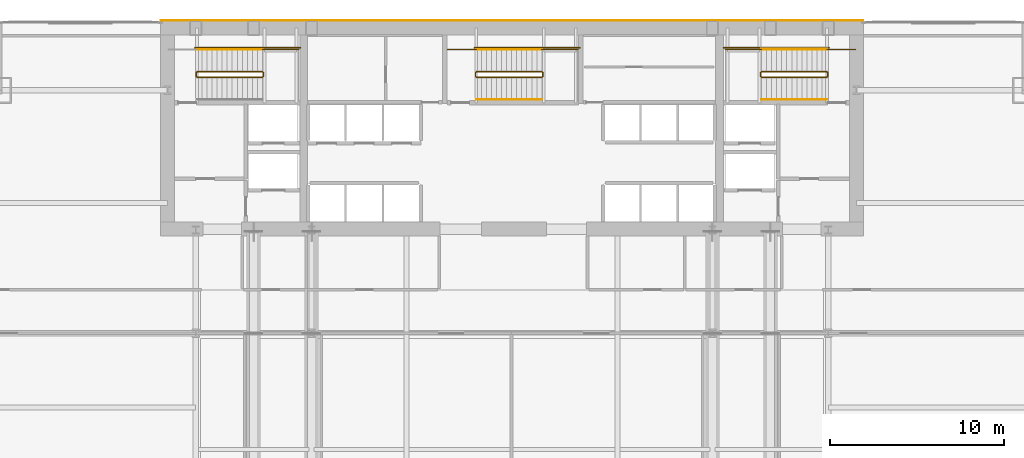
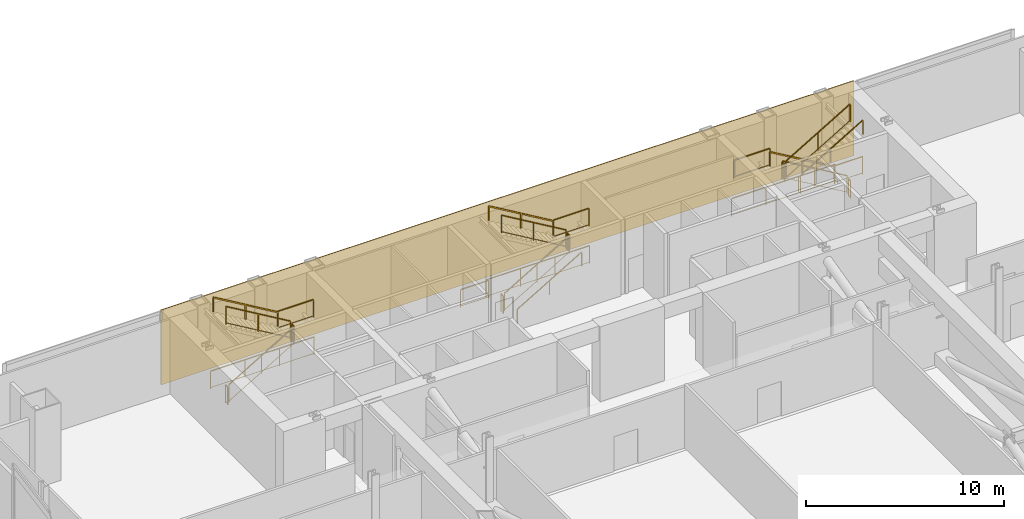
# One storey, part 31 of 32: 25 railings, 1 covering.
"""IFC4 building model written with IfcOpenShell, lengths in metres."""

from ifc_helpers import new_model, si_unit, direction, frame, origin, origin_2d, place, context, subcontext, project, spatial, polyline, rectangle, outline, extrude, material, layer, layer_set, type_object, element, save


model = new_model("IFC4")

# Units and contexts
model_context = context("Model", 3, precision=1e-05, world=origin(), true_north=direction((0.0, 1.0)))
body_context = subcontext(model_context, "Body", "Model", "MODEL_VIEW")
ifc_project = project(units=[si_unit("LENGTHUNIT", "METRE"), si_unit("AREAUNIT", "SQUARE_METRE"), si_unit("VOLUMEUNIT", "CUBIC_METRE"), si_unit("PLANEANGLEUNIT", "RADIAN"), si_unit("MASSUNIT", "GRAM", prefix="KILO")], contexts=[model_context])

# Site, building, storey
site_placement = place(None, origin())
site = spatial("IfcSite", under=ifc_project, at=site_placement, CompositionType="ELEMENT")
building_placement = place(site_placement, origin())
building = spatial("IfcBuilding", under=site, at=building_placement, Name="Khoronbel Lancet Exchange", CompositionType="ELEMENT")
storey_placement = place(building_placement, frame((0.0, 0.0, 85.800048828125)))
storey = spatial("IfcBuildingStorey", under=building, at=storey_placement, Name="L20", CompositionType="ELEMENT", Elevation=85.800048828125)

# Covering
ifc_material_1 = material(Name="Honed Egyptian Limestone & Bronze Rainscreen", Category="masonry")
ifc_layer = layer(ifc_material_1, 0.050048828125, Name="Honed Egyptian Limestone & Bronze Rainscreen")
ifc_layer_set = layer_set([ifc_layer], Name="Honed Egyptian Limestone & Bronze Rainscreen")
covering_type = type_object("IfcCoveringType", Name="COV-CLAD1", PredefinedType="CLADDING", material=ifc_layer_set)
covering_placement = place(storey_placement, origin())
element("IfcCovering", 1, at=covering_placement, inside=storey, type_object=covering_type, Name="Level L20 north rear-core stone and bronze rainscreen cladding", PredefinedType="CLADDING", context=body_context, shape_type="SweptSolid", body=[
    extrude(outline(polyline([(16.199951171875, 53.699951171875), (56.699951171875, 53.699951171875), (56.699951171875, 53.75), (16.199951171875, 53.75), (16.199951171875, 53.699951171875)])), origin(), (0.0, 0.0, 1.0), 4.619873046875),
])

# Railings
ifc_material_2 = material(Name="Painted Steel Balustrade", Category="steel")
railing_type_1 = type_object("IfcRailingType", Name="RL-STG110", PredefinedType="GUARDRAIL", material=ifc_material_2)
railing_1_placement = place(storey_placement, frame((18.300048828125, 50.449951171875, 0.17138671875)))
element("IfcRailing", 2, at=railing_1_placement, inside=storey, type_object=railing_type_1, Name="L20 ST1 stair guard 1", PredefinedType="GUARDRAIL", context=body_context, shape_type="SweptSolid", body=[
    extrude(rectangle(XDim=0.048095703125, YDim=0.048095703125, at=origin_2d()), frame((0.0, 0.0, 1.09619140625), z_axis=(0.860848830602, 0.0, 0.508860777473), x_axis=(0.0, 1.0, 0.0)), (0.0, 0.0, 1.0), 4.37939453125),
    extrude(rectangle(XDim=0.02392578125, YDim=0.02392578125, at=origin_2d()), frame((0.0, 0.0, 0.080078125), z_axis=(0.860848830602, 0.0, 0.508860777473), x_axis=(0.0, 1.0, 0.0)), (0.0, 0.0, 1.0), 4.37939453125),
    extrude(rectangle(XDim=0.0419921875, YDim=0.0419921875, at=origin_2d()), origin(), (0.0, 0.0, 1.0), 1.072021484375),
    extrude(rectangle(XDim=0.0419921875, YDim=0.0419921875, at=origin_2d()), frame((1.885009765625, 0.0, 1.1142578125)), (0.0, 0.0, 1.0), 1.072021484375),
    extrude(rectangle(XDim=0.0419921875, YDim=0.0419921875, at=origin_2d()), frame((3.77001953125, 0.0, 2.228515625)), (0.0, 0.0, 1.0), 1.072021484375),
])
railing_2_placement = place(storey_placement, frame((22.1201171875, 50.5, 2.39990234375)))
element("IfcRailing", 3, at=railing_2_placement, inside=storey, type_object=railing_type_1, Name="L20 ST1 stair guard 2", PredefinedType="GUARDRAIL", context=body_context, shape_type="SweptSolid", body=[
    extrude(rectangle(XDim=0.048095703125, YDim=0.048095703125, at=origin_2d()), frame((0.0, 0.0, 1.09619140625), z_axis=(0.0, 1.0, 0.0), x_axis=(-1.0, 0.0, 0.0)), (0.0, 0.0, 1.0), 0.219970703125),
    extrude(rectangle(XDim=0.02392578125, YDim=0.02392578125, at=origin_2d()), frame((0.0, 0.0, 0.080078125), z_axis=(0.0, 1.0, 0.0), x_axis=(-1.0, 0.0, 0.0)), (0.0, 0.0, 1.0), 0.219970703125),
    extrude(rectangle(XDim=0.0419921875, YDim=0.0419921875, at=origin_2d()), origin(), (0.0, 0.0, 1.0), 1.072021484375),
    extrude(rectangle(XDim=0.0419921875, YDim=0.0419921875, at=origin_2d()), frame((0.0, 0.219970703125, 0.0)), (0.0, 0.0, 1.0), 1.072021484375),
])
railing_3_placement = place(storey_placement, frame((22.070068359375, 52.050048828125, 2.39990234375)))
element("IfcRailing", 4, at=railing_3_placement, inside=storey, type_object=railing_type_1, Name="L20 ST1 stair guard 3", PredefinedType="GUARDRAIL", context=body_context, shape_type="SweptSolid", body=[
    extrude(rectangle(XDim=0.048095703125, YDim=0.048095703125, at=origin_2d()), frame((0.0, 0.0, 1.09619140625), z_axis=(1.0, 0.0, 0.0), x_axis=(0.0, 1.0, 0.0)), (0.0, 0.0, 1.0), 2.079833984375),
    extrude(rectangle(XDim=0.02392578125, YDim=0.02392578125, at=origin_2d()), frame((0.0, 0.0, 0.080078125), z_axis=(1.0, 0.0, 0.0), x_axis=(0.0, 1.0, 0.0)), (0.0, 0.0, 1.0), 2.079833984375),
    extrude(rectangle(XDim=0.0419921875, YDim=0.0419921875, at=origin_2d()), origin(), (0.0, 0.0, 1.0), 1.072021484375),
    extrude(rectangle(XDim=0.0419921875, YDim=0.0419921875, at=origin_2d()), frame((2.079833984375, 0.0, 0.0)), (0.0, 0.0, 1.0), 1.072021484375),
])
railing_4_placement = place(storey_placement, frame((22.070068359375, 50.77001953125, 2.5712890625)))
element("IfcRailing", 5, at=railing_4_placement, inside=storey, type_object=railing_type_1, Name="L20 ST1 stair guard 4", PredefinedType="GUARDRAIL", context=body_context, shape_type="SweptSolid", body=[
    extrude(rectangle(XDim=0.048095703125, YDim=0.048095703125, at=origin_2d()), frame((0.0, 0.0, 1.09619140625), z_axis=(-0.860824410104, 0.0, 0.508902087802), x_axis=(0.0, -1.0, 0.0)), (0.0, 0.0, 1.0), 4.379638671875),
    extrude(rectangle(XDim=0.02392578125, YDim=0.02392578125, at=origin_2d()), frame((0.0, 0.0, 0.080078125), z_axis=(-0.860824410104, 0.0, 0.508902087802), x_axis=(0.0, -1.0, 0.0)), (0.0, 0.0, 1.0), 4.379638671875),
    extrude(rectangle(XDim=0.0419921875, YDim=0.0419921875, at=origin_2d()), origin(), (0.0, 0.0, 1.0), 1.072021484375),
    extrude(rectangle(XDim=0.0419921875, YDim=0.0419921875, at=origin_2d()), frame((-1.885009765625, 0.0, 1.1142578125)), (0.0, 0.0, 1.0), 1.072021484375),
    extrude(rectangle(XDim=0.0419921875, YDim=0.0419921875, at=origin_2d()), frame((-3.77001953125, 0.0, 2.228759765625)), (0.0, 0.0, 1.0), 1.072021484375),
])
railing_5_placement = place(storey_placement, frame((18.25, 50.5, 0.0)))
element("IfcRailing", 6, at=railing_5_placement, inside=storey, type_object=railing_type_1, Name="L20 ST1 stair guard 5", PredefinedType="GUARDRAIL", context=body_context, shape_type="SweptSolid", body=[
    extrude(rectangle(XDim=0.048095703125, YDim=0.048095703125, at=origin_2d()), frame((0.0, 0.0, 1.09619140625), z_axis=(0.0, 1.0, 0.0), x_axis=(-1.0, 0.0, 0.0)), (0.0, 0.0, 1.0), 0.219970703125),
    extrude(rectangle(XDim=0.02392578125, YDim=0.02392578125, at=origin_2d()), frame((0.0, 0.0, 0.080078125), z_axis=(0.0, 1.0, 0.0), x_axis=(-1.0, 0.0, 0.0)), (0.0, 0.0, 1.0), 0.219970703125),
    extrude(rectangle(XDim=0.0419921875, YDim=0.0419921875, at=origin_2d()), origin(), (0.0, 0.0, 1.0), 1.072021484375),
    extrude(rectangle(XDim=0.0419921875, YDim=0.0419921875, at=origin_2d()), frame((0.0, 0.219970703125, 0.0)), (0.0, 0.0, 1.0), 1.072021484375),
])
railing_6_placement = place(storey_placement, frame((18.199951171875, 52.14990234375, 0.0)))
element("IfcRailing", 7, at=railing_6_placement, inside=storey, type_object=railing_type_1, Name="L20 ST1 stair guard 7", PredefinedType="GUARDRAIL", context=body_context, shape_type="SweptSolid", body=[
    extrude(rectangle(XDim=0.048095703125, YDim=0.048095703125, at=origin_2d()), frame((0.0, 0.0, 1.09619140625), z_axis=(1.0, 0.0, 0.0), x_axis=(0.0, 1.0, 0.0)), (0.0, 0.0, 1.0), 6.050048828125),
    extrude(rectangle(XDim=0.02392578125, YDim=0.02392578125, at=origin_2d()), frame((0.0, 0.0, 0.080078125), z_axis=(1.0, 0.0, 0.0), x_axis=(0.0, 1.0, 0.0)), (0.0, 0.0, 1.0), 6.050048828125),
    extrude(rectangle(XDim=0.0419921875, YDim=0.0419921875, at=origin_2d()), origin(), (0.0, 0.0, 1.0), 1.072021484375),
    extrude(rectangle(XDim=0.0419921875, YDim=0.0419921875, at=origin_2d()), frame((2.0166015625, 0.0, 0.0)), (0.0, 0.0, 1.0), 1.072021484375),
    extrude(rectangle(XDim=0.0419921875, YDim=0.0419921875, at=origin_2d()), frame((4.033447265625, 0.0, 0.0)), (0.0, 0.0, 1.0), 1.072021484375),
    extrude(rectangle(XDim=0.0419921875, YDim=0.0419921875, at=origin_2d()), frame((6.050048828125, 0.0, 0.0)), (0.0, 0.0, 1.0), 1.072021484375),
])
railing_7_placement = place(storey_placement, frame((54.60009765625, 50.77001953125, 0.17138671875)))
element("IfcRailing", 8, at=railing_7_placement, inside=storey, type_object=railing_type_1, Name="L20 ST2 stair guard 1", PredefinedType="GUARDRAIL", context=body_context, shape_type="SweptSolid", body=[
    extrude(rectangle(XDim=0.048095703125, YDim=0.048095703125, at=origin_2d()), frame((0.0, 0.0, 1.09619140625), z_axis=(-0.860848830602, 0.0, 0.508860777473), x_axis=(0.0, -1.0, 0.0)), (0.0, 0.0, 1.0), 4.37939453125),
    extrude(rectangle(XDim=0.02392578125, YDim=0.02392578125, at=origin_2d()), frame((0.0, 0.0, 0.080078125), z_axis=(-0.860848830602, 0.0, 0.508860777473), x_axis=(0.0, -1.0, 0.0)), (0.0, 0.0, 1.0), 4.37939453125),
    extrude(rectangle(XDim=0.0419921875, YDim=0.0419921875, at=origin_2d()), origin(), (0.0, 0.0, 1.0), 1.072021484375),
    extrude(rectangle(XDim=0.0419921875, YDim=0.0419921875, at=origin_2d()), frame((-1.885009765625, 0.0, 1.1142578125)), (0.0, 0.0, 1.0), 1.072021484375),
    extrude(rectangle(XDim=0.0419921875, YDim=0.0419921875, at=origin_2d()), frame((-3.77001953125, 0.0, 2.228515625)), (0.0, 0.0, 1.0), 1.072021484375),
])
railing_8_placement = place(storey_placement, frame((50.780029296875, 50.719970703125, 2.39990234375)))
element("IfcRailing", 9, at=railing_8_placement, inside=storey, type_object=railing_type_1, Name="L20 ST2 stair guard 2", PredefinedType="GUARDRAIL", context=body_context, shape_type="SweptSolid", body=[
    extrude(rectangle(XDim=0.048095703125, YDim=0.048095703125, at=origin_2d()), frame((0.0, 0.0, 1.09619140625), z_axis=(0.0, -1.0, 0.0), x_axis=(1.0, 0.0, 0.0)), (0.0, 0.0, 1.0), 0.219970703125),
    extrude(rectangle(XDim=0.02392578125, YDim=0.02392578125, at=origin_2d()), frame((0.0, 0.0, 0.080078125), z_axis=(0.0, -1.0, 0.0), x_axis=(1.0, 0.0, 0.0)), (0.0, 0.0, 1.0), 0.219970703125),
    extrude(rectangle(XDim=0.0419921875, YDim=0.0419921875, at=origin_2d()), origin(), (0.0, 0.0, 1.0), 1.072021484375),
    extrude(rectangle(XDim=0.0419921875, YDim=0.0419921875, at=origin_2d()), frame((0.0, -0.219970703125, 0.0)), (0.0, 0.0, 1.0), 1.072021484375),
])
railing_9_placement = place(storey_placement, frame((50.830078125, 52.050048828125, 2.39990234375)))
element("IfcRailing", 10, at=railing_9_placement, inside=storey, type_object=railing_type_1, Name="L20 ST2 stair guard 3", PredefinedType="GUARDRAIL", context=body_context, shape_type="SweptSolid", body=[
    extrude(rectangle(XDim=0.048095703125, YDim=0.048095703125, at=origin_2d()), frame((0.0, 0.0, 1.09619140625), z_axis=(-1.0, 0.0, 0.0), x_axis=(0.0, -1.0, 0.0)), (0.0, 0.0, 1.0), 2.080078125),
    extrude(rectangle(XDim=0.02392578125, YDim=0.02392578125, at=origin_2d()), frame((0.0, 0.0, 0.080078125), z_axis=(-1.0, 0.0, 0.0), x_axis=(0.0, -1.0, 0.0)), (0.0, 0.0, 1.0), 2.080078125),
    extrude(rectangle(XDim=0.0419921875, YDim=0.0419921875, at=origin_2d()), origin(), (0.0, 0.0, 1.0), 1.072021484375),
    extrude(rectangle(XDim=0.0419921875, YDim=0.0419921875, at=origin_2d()), frame((-2.080078125, 0.0, 0.0)), (0.0, 0.0, 1.0), 1.072021484375),
])
railing_10_placement = place(storey_placement, frame((50.830078125, 50.449951171875, 2.5712890625)))
element("IfcRailing", 11, at=railing_10_placement, inside=storey, type_object=railing_type_1, Name="L20 ST2 stair guard 4", PredefinedType="GUARDRAIL", context=body_context, shape_type="SweptSolid", body=[
    extrude(rectangle(XDim=0.048095703125, YDim=0.048095703125, at=origin_2d()), frame((0.0, 0.0, 1.09619140625), z_axis=(0.860824410104, 0.0, 0.508902087802), x_axis=(0.0, 1.0, 0.0)), (0.0, 0.0, 1.0), 4.379638671875),
    extrude(rectangle(XDim=0.02392578125, YDim=0.02392578125, at=origin_2d()), frame((0.0, 0.0, 0.080078125), z_axis=(0.860824410104, 0.0, 0.508902087802), x_axis=(0.0, 1.0, 0.0)), (0.0, 0.0, 1.0), 4.379638671875),
    extrude(rectangle(XDim=0.0419921875, YDim=0.0419921875, at=origin_2d()), origin(), (0.0, 0.0, 1.0), 1.072021484375),
    extrude(rectangle(XDim=0.0419921875, YDim=0.0419921875, at=origin_2d()), frame((1.885009765625, 0.0, 1.1142578125)), (0.0, 0.0, 1.0), 1.072021484375),
    extrude(rectangle(XDim=0.0419921875, YDim=0.0419921875, at=origin_2d()), frame((3.77001953125, 0.0, 2.228759765625)), (0.0, 0.0, 1.0), 1.072021484375),
])
railing_11_placement = place(storey_placement, frame((54.64990234375, 50.719970703125, 0.0)))
element("IfcRailing", 12, at=railing_11_placement, inside=storey, type_object=railing_type_1, Name="L20 ST2 stair guard 5", PredefinedType="GUARDRAIL", context=body_context, shape_type="SweptSolid", body=[
    extrude(rectangle(XDim=0.048095703125, YDim=0.048095703125, at=origin_2d()), frame((0.0, 0.0, 1.09619140625), z_axis=(0.0, -1.0, 0.0), x_axis=(1.0, 0.0, 0.0)), (0.0, 0.0, 1.0), 0.219970703125),
    extrude(rectangle(XDim=0.02392578125, YDim=0.02392578125, at=origin_2d()), frame((0.0, 0.0, 0.080078125), z_axis=(0.0, -1.0, 0.0), x_axis=(1.0, 0.0, 0.0)), (0.0, 0.0, 1.0), 0.219970703125),
    extrude(rectangle(XDim=0.0419921875, YDim=0.0419921875, at=origin_2d()), origin(), (0.0, 0.0, 1.0), 1.072021484375),
    extrude(rectangle(XDim=0.0419921875, YDim=0.0419921875, at=origin_2d()), frame((0.0, -0.219970703125, 0.0)), (0.0, 0.0, 1.0), 1.072021484375),
])
railing_12_placement = place(storey_placement, frame((56.25, 52.050048828125, 0.0)))
element("IfcRailing", 13, at=railing_12_placement, inside=storey, type_object=railing_type_1, Name="L20 ST2 stair guard 6", PredefinedType="GUARDRAIL", context=body_context, shape_type="SweptSolid", body=[
    extrude(rectangle(XDim=0.048095703125, YDim=0.048095703125, at=origin_2d()), frame((0.0, 0.0, 1.09619140625), z_axis=(-1.0, 0.0, 0.0), x_axis=(0.0, -1.0, 0.0)), (0.0, 0.0, 1.0), 1.64990234375),
    extrude(rectangle(XDim=0.02392578125, YDim=0.02392578125, at=origin_2d()), frame((0.0, 0.0, 0.080078125), z_axis=(-1.0, 0.0, 0.0), x_axis=(0.0, -1.0, 0.0)), (0.0, 0.0, 1.0), 1.64990234375),
    extrude(rectangle(XDim=0.0419921875, YDim=0.0419921875, at=origin_2d()), origin(), (0.0, 0.0, 1.0), 1.072021484375),
    extrude(rectangle(XDim=0.0419921875, YDim=0.0419921875, at=origin_2d()), frame((-1.64990234375, 0.0, 0.0)), (0.0, 0.0, 1.0), 1.072021484375),
])
railing_13_placement = place(storey_placement, frame((54.699951171875, 52.14990234375, 0.0)))
element("IfcRailing", 14, at=railing_13_placement, inside=storey, type_object=railing_type_1, Name="L20 ST2 stair guard 7", PredefinedType="GUARDRAIL", context=body_context, shape_type="SweptSolid", body=[
    extrude(rectangle(XDim=0.048095703125, YDim=0.048095703125, at=origin_2d()), frame((0.0, 0.0, 1.09619140625), z_axis=(-1.0, 0.0, 0.0), x_axis=(0.0, -1.0, 0.0)), (0.0, 0.0, 1.0), 6.050048828125),
    extrude(rectangle(XDim=0.02392578125, YDim=0.02392578125, at=origin_2d()), frame((0.0, 0.0, 0.080078125), z_axis=(-1.0, 0.0, 0.0), x_axis=(0.0, -1.0, 0.0)), (0.0, 0.0, 1.0), 6.050048828125),
    extrude(rectangle(XDim=0.0419921875, YDim=0.0419921875, at=origin_2d()), origin(), (0.0, 0.0, 1.0), 1.072021484375),
    extrude(rectangle(XDim=0.0419921875, YDim=0.0419921875, at=origin_2d()), frame((-2.0166015625, 0.0, 0.0)), (0.0, 0.0, 1.0), 1.072021484375),
    extrude(rectangle(XDim=0.0419921875, YDim=0.0419921875, at=origin_2d()), frame((-4.033447265625, 0.0, 0.0)), (0.0, 0.0, 1.0), 1.072021484375),
    extrude(rectangle(XDim=0.0419921875, YDim=0.0419921875, at=origin_2d()), frame((-6.050048828125, 0.0, 0.0)), (0.0, 0.0, 1.0), 1.072021484375),
])
railing_14_placement = place(storey_placement, frame((34.39990234375, 50.449951171875, 0.17138671875)))
element("IfcRailing", 15, at=railing_14_placement, inside=storey, type_object=railing_type_1, Name="L20 ST3 stair guard 1", PredefinedType="GUARDRAIL", context=body_context, shape_type="SweptSolid", body=[
    extrude(rectangle(XDim=0.048095703125, YDim=0.048095703125, at=origin_2d()), frame((0.0, 0.0, 1.09619140625), z_axis=(0.860848830602, 0.0, 0.508860777473), x_axis=(0.0, 1.0, 0.0)), (0.0, 0.0, 1.0), 4.37939453125),
    extrude(rectangle(XDim=0.02392578125, YDim=0.02392578125, at=origin_2d()), frame((0.0, 0.0, 0.080078125), z_axis=(0.860848830602, 0.0, 0.508860777473), x_axis=(0.0, 1.0, 0.0)), (0.0, 0.0, 1.0), 4.37939453125),
    extrude(rectangle(XDim=0.0419921875, YDim=0.0419921875, at=origin_2d()), origin(), (0.0, 0.0, 1.0), 1.072021484375),
    extrude(rectangle(XDim=0.0419921875, YDim=0.0419921875, at=origin_2d()), frame((1.885009765625, 0.0, 1.1142578125)), (0.0, 0.0, 1.0), 1.072021484375),
    extrude(rectangle(XDim=0.0419921875, YDim=0.0419921875, at=origin_2d()), frame((3.77001953125, 0.0, 2.228515625)), (0.0, 0.0, 1.0), 1.072021484375),
])
railing_15_placement = place(storey_placement, frame((38.219970703125, 50.5, 2.39990234375)))
element("IfcRailing", 16, at=railing_15_placement, inside=storey, type_object=railing_type_1, Name="L20 ST3 stair guard 2", PredefinedType="GUARDRAIL", context=body_context, shape_type="SweptSolid", body=[
    extrude(rectangle(XDim=0.048095703125, YDim=0.048095703125, at=origin_2d()), frame((0.0, 0.0, 1.09619140625), z_axis=(0.0, 1.0, 0.0), x_axis=(-1.0, 0.0, 0.0)), (0.0, 0.0, 1.0), 0.219970703125),
    extrude(rectangle(XDim=0.02392578125, YDim=0.02392578125, at=origin_2d()), frame((0.0, 0.0, 0.080078125), z_axis=(0.0, 1.0, 0.0), x_axis=(-1.0, 0.0, 0.0)), (0.0, 0.0, 1.0), 0.219970703125),
    extrude(rectangle(XDim=0.0419921875, YDim=0.0419921875, at=origin_2d()), origin(), (0.0, 0.0, 1.0), 1.072021484375),
    extrude(rectangle(XDim=0.0419921875, YDim=0.0419921875, at=origin_2d()), frame((0.0, 0.219970703125, 0.0)), (0.0, 0.0, 1.0), 1.072021484375),
])
railing_16_placement = place(storey_placement, frame((38.169921875, 52.050048828125, 2.39990234375)))
element("IfcRailing", 17, at=railing_16_placement, inside=storey, type_object=railing_type_1, Name="L20 ST3 stair guard 3", PredefinedType="GUARDRAIL", context=body_context, shape_type="SweptSolid", body=[
    extrude(rectangle(XDim=0.048095703125, YDim=0.048095703125, at=origin_2d()), frame((0.0, 0.0, 1.09619140625), z_axis=(1.0, 0.0, 0.0), x_axis=(0.0, 1.0, 0.0)), (0.0, 0.0, 1.0), 2.080078125),
    extrude(rectangle(XDim=0.02392578125, YDim=0.02392578125, at=origin_2d()), frame((0.0, 0.0, 0.080078125), z_axis=(1.0, 0.0, 0.0), x_axis=(0.0, 1.0, 0.0)), (0.0, 0.0, 1.0), 2.080078125),
    extrude(rectangle(XDim=0.0419921875, YDim=0.0419921875, at=origin_2d()), origin(), (0.0, 0.0, 1.0), 1.072021484375),
    extrude(rectangle(XDim=0.0419921875, YDim=0.0419921875, at=origin_2d()), frame((2.080078125, 0.0, 0.0)), (0.0, 0.0, 1.0), 1.072021484375),
])
railing_17_placement = place(storey_placement, frame((38.169921875, 50.77001953125, 2.5712890625)))
element("IfcRailing", 18, at=railing_17_placement, inside=storey, type_object=railing_type_1, Name="L20 ST3 stair guard 4", PredefinedType="GUARDRAIL", context=body_context, shape_type="SweptSolid", body=[
    extrude(rectangle(XDim=0.048095703125, YDim=0.048095703125, at=origin_2d()), frame((0.0, 0.0, 1.09619140625), z_axis=(-0.860824410104, 0.0, 0.508902087802), x_axis=(0.0, -1.0, 0.0)), (0.0, 0.0, 1.0), 4.379638671875),
    extrude(rectangle(XDim=0.02392578125, YDim=0.02392578125, at=origin_2d()), frame((0.0, 0.0, 0.080078125), z_axis=(-0.860824410104, 0.0, 0.508902087802), x_axis=(0.0, -1.0, 0.0)), (0.0, 0.0, 1.0), 4.379638671875),
    extrude(rectangle(XDim=0.0419921875, YDim=0.0419921875, at=origin_2d()), origin(), (0.0, 0.0, 1.0), 1.072021484375),
    extrude(rectangle(XDim=0.0419921875, YDim=0.0419921875, at=origin_2d()), frame((-1.885009765625, 0.0, 1.1142578125)), (0.0, 0.0, 1.0), 1.072021484375),
    extrude(rectangle(XDim=0.0419921875, YDim=0.0419921875, at=origin_2d()), frame((-3.77001953125, 0.0, 2.228759765625)), (0.0, 0.0, 1.0), 1.072021484375),
])
railing_18_placement = place(storey_placement, frame((34.35009765625, 50.5, 0.0)))
element("IfcRailing", 19, at=railing_18_placement, inside=storey, type_object=railing_type_1, Name="L20 ST3 stair guard 5", PredefinedType="GUARDRAIL", context=body_context, shape_type="SweptSolid", body=[
    extrude(rectangle(XDim=0.048095703125, YDim=0.048095703125, at=origin_2d()), frame((0.0, 0.0, 1.09619140625), z_axis=(0.0, 1.0, 0.0), x_axis=(-1.0, 0.0, 0.0)), (0.0, 0.0, 1.0), 0.219970703125),
    extrude(rectangle(XDim=0.02392578125, YDim=0.02392578125, at=origin_2d()), frame((0.0, 0.0, 0.080078125), z_axis=(0.0, 1.0, 0.0), x_axis=(-1.0, 0.0, 0.0)), (0.0, 0.0, 1.0), 0.219970703125),
    extrude(rectangle(XDim=0.0419921875, YDim=0.0419921875, at=origin_2d()), origin(), (0.0, 0.0, 1.0), 1.072021484375),
    extrude(rectangle(XDim=0.0419921875, YDim=0.0419921875, at=origin_2d()), frame((0.0, 0.219970703125, 0.0)), (0.0, 0.0, 1.0), 1.072021484375),
])
railing_19_placement = place(storey_placement, frame((32.75, 52.050048828125, 0.0)))
element("IfcRailing", 20, at=railing_19_placement, inside=storey, type_object=railing_type_1, Name="L20 ST3 stair guard 6", PredefinedType="GUARDRAIL", context=body_context, shape_type="SweptSolid", body=[
    extrude(rectangle(XDim=0.048095703125, YDim=0.048095703125, at=origin_2d()), frame((0.0, 0.0, 1.09619140625), z_axis=(1.0, 0.0, 0.0), x_axis=(0.0, 1.0, 0.0)), (0.0, 0.0, 1.0), 1.64990234375),
    extrude(rectangle(XDim=0.02392578125, YDim=0.02392578125, at=origin_2d()), frame((0.0, 0.0, 0.080078125), z_axis=(1.0, 0.0, 0.0), x_axis=(0.0, 1.0, 0.0)), (0.0, 0.0, 1.0), 1.64990234375),
    extrude(rectangle(XDim=0.0419921875, YDim=0.0419921875, at=origin_2d()), origin(), (0.0, 0.0, 1.0), 1.072021484375),
    extrude(rectangle(XDim=0.0419921875, YDim=0.0419921875, at=origin_2d()), frame((1.64990234375, 0.0, 0.0)), (0.0, 0.0, 1.0), 1.072021484375),
])
railing_20_placement = place(storey_placement, frame((34.300048828125, 52.14990234375, 0.0)))
element("IfcRailing", 21, at=railing_20_placement, inside=storey, type_object=railing_type_1, Name="L20 ST3 stair guard 7", PredefinedType="GUARDRAIL", context=body_context, shape_type="SweptSolid", body=[
    extrude(rectangle(XDim=0.048095703125, YDim=0.048095703125, at=origin_2d()), frame((0.0, 0.0, 1.09619140625), z_axis=(1.0, 0.0, 0.0), x_axis=(0.0, 1.0, 0.0)), (0.0, 0.0, 1.0), 6.050048828125),
    extrude(rectangle(XDim=0.02392578125, YDim=0.02392578125, at=origin_2d()), frame((0.0, 0.0, 0.080078125), z_axis=(1.0, 0.0, 0.0), x_axis=(0.0, 1.0, 0.0)), (0.0, 0.0, 1.0), 6.050048828125),
    extrude(rectangle(XDim=0.0419921875, YDim=0.0419921875, at=origin_2d()), origin(), (0.0, 0.0, 1.0), 1.072021484375),
    extrude(rectangle(XDim=0.0419921875, YDim=0.0419921875, at=origin_2d()), frame((2.0166015625, 0.0, 0.0)), (0.0, 0.0, 1.0), 1.072021484375),
    extrude(rectangle(XDim=0.0419921875, YDim=0.0419921875, at=origin_2d()), frame((4.033447265625, 0.0, 0.0)), (0.0, 0.0, 1.0), 1.072021484375),
    extrude(rectangle(XDim=0.0419921875, YDim=0.0419921875, at=origin_2d()), frame((6.050048828125, 0.0, 0.0)), (0.0, 0.0, 1.0), 1.072021484375),
])
ifc_material_3 = material(Name="Brushed Stainless Steel 316", Category="steel")
railing_type_2 = type_object("IfcRailingType", Name="RL-STH92", PredefinedType="HANDRAIL", material=ifc_material_3)
railing_21_placement = place(storey_placement, frame((22.070068359375, 52.050048828125, 2.5712890625)))
element("IfcRailing", 22, at=railing_21_placement, inside=storey, type_object=railing_type_2, Name="L20 ST1 stair handrail 2", PredefinedType="HANDRAIL", context=body_context, shape_type="SweptSolid", body=[
    extrude(rectangle(XDim=0.048095703125, YDim=0.048095703125, at=origin_2d()), frame((0.0, 0.0, 0.8759765625), z_axis=(-0.860824410104, 0.0, 0.508902087802), x_axis=(0.0, -1.0, 0.0)), (0.0, 0.0, 1.0), 4.379638671875),
    extrude(rectangle(XDim=0.0419921875, YDim=0.0419921875, at=origin_2d()), origin(), (0.0, 0.0, 1.0), 0.851806640625),
    extrude(rectangle(XDim=0.0419921875, YDim=0.0419921875, at=origin_2d()), frame((-1.885009765625, 0.0, 1.1142578125)), (0.0, 0.0, 1.0), 0.851806640625),
    extrude(rectangle(XDim=0.0419921875, YDim=0.0419921875, at=origin_2d()), frame((-3.77001953125, 0.0, 2.228759765625)), (0.0, 0.0, 1.0), 0.851806640625),
])
railing_22_placement = place(storey_placement, frame((54.60009765625, 52.050048828125, 0.17138671875)))
element("IfcRailing", 23, at=railing_22_placement, inside=storey, type_object=railing_type_2, Name="L20 ST2 stair handrail 1", PredefinedType="HANDRAIL", context=body_context, shape_type="SweptSolid", body=[
    extrude(rectangle(XDim=0.048095703125, YDim=0.048095703125, at=origin_2d()), frame((0.0, 0.0, 0.8759765625), z_axis=(-0.860848830602, 0.0, 0.508860777473), x_axis=(0.0, -1.0, 0.0)), (0.0, 0.0, 1.0), 4.37939453125),
    extrude(rectangle(XDim=0.0419921875, YDim=0.0419921875, at=origin_2d()), origin(), (0.0, 0.0, 1.0), 0.851806640625),
    extrude(rectangle(XDim=0.0419921875, YDim=0.0419921875, at=origin_2d()), frame((-1.885009765625, 0.0, 1.1142578125)), (0.0, 0.0, 1.0), 0.851806640625),
    extrude(rectangle(XDim=0.0419921875, YDim=0.0419921875, at=origin_2d()), frame((-3.77001953125, 0.0, 2.228515625)), (0.0, 0.0, 1.0), 0.851806640625),
])
railing_23_placement = place(storey_placement, frame((50.830078125, 49.169921875, 2.5712890625)))
element("IfcRailing", 24, at=railing_23_placement, inside=storey, type_object=railing_type_2, Name="L20 ST2 stair handrail 2", PredefinedType="HANDRAIL", context=body_context, shape_type="SweptSolid", body=[
    extrude(rectangle(XDim=0.048095703125, YDim=0.048095703125, at=origin_2d()), frame((0.0, 0.0, 0.8759765625), z_axis=(0.860824410104, 0.0, 0.508902087802), x_axis=(0.0, 1.0, 0.0)), (0.0, 0.0, 1.0), 4.379638671875),
    extrude(rectangle(XDim=0.0419921875, YDim=0.0419921875, at=origin_2d()), origin(), (0.0, 0.0, 1.0), 0.851806640625),
    extrude(rectangle(XDim=0.0419921875, YDim=0.0419921875, at=origin_2d()), frame((1.885009765625, 0.0, 1.1142578125)), (0.0, 0.0, 1.0), 0.851806640625),
    extrude(rectangle(XDim=0.0419921875, YDim=0.0419921875, at=origin_2d()), frame((3.77001953125, 0.0, 2.228759765625)), (0.0, 0.0, 1.0), 0.851806640625),
])
railing_24_placement = place(storey_placement, frame((34.39990234375, 49.169921875, 0.17138671875)))
element("IfcRailing", 25, at=railing_24_placement, inside=storey, type_object=railing_type_2, Name="L20 ST3 stair handrail 1", PredefinedType="HANDRAIL", context=body_context, shape_type="SweptSolid", body=[
    extrude(rectangle(XDim=0.048095703125, YDim=0.048095703125, at=origin_2d()), frame((0.0, 0.0, 0.8759765625), z_axis=(0.860848830602, 0.0, 0.508860777473), x_axis=(0.0, 1.0, 0.0)), (0.0, 0.0, 1.0), 4.37939453125),
    extrude(rectangle(XDim=0.0419921875, YDim=0.0419921875, at=origin_2d()), origin(), (0.0, 0.0, 1.0), 0.851806640625),
    extrude(rectangle(XDim=0.0419921875, YDim=0.0419921875, at=origin_2d()), frame((1.885009765625, 0.0, 1.1142578125)), (0.0, 0.0, 1.0), 0.851806640625),
    extrude(rectangle(XDim=0.0419921875, YDim=0.0419921875, at=origin_2d()), frame((3.77001953125, 0.0, 2.228515625)), (0.0, 0.0, 1.0), 0.851806640625),
])
railing_25_placement = place(storey_placement, frame((38.169921875, 52.050048828125, 2.5712890625)))
element("IfcRailing", 26, at=railing_25_placement, inside=storey, type_object=railing_type_2, Name="L20 ST3 stair handrail 2", PredefinedType="HANDRAIL", context=body_context, shape_type="SweptSolid", body=[
    extrude(rectangle(XDim=0.048095703125, YDim=0.048095703125, at=origin_2d()), frame((0.0, 0.0, 0.8759765625), z_axis=(-0.860824410104, 0.0, 0.508902087802), x_axis=(0.0, -1.0, 0.0)), (0.0, 0.0, 1.0), 4.379638671875),
    extrude(rectangle(XDim=0.0419921875, YDim=0.0419921875, at=origin_2d()), origin(), (0.0, 0.0, 1.0), 0.851806640625),
    extrude(rectangle(XDim=0.0419921875, YDim=0.0419921875, at=origin_2d()), frame((-1.885009765625, 0.0, 1.1142578125)), (0.0, 0.0, 1.0), 0.851806640625),
    extrude(rectangle(XDim=0.0419921875, YDim=0.0419921875, at=origin_2d()), frame((-3.77001953125, 0.0, 2.228759765625)), (0.0, 0.0, 1.0), 0.851806640625),
])

save(model, "model.ifc")
